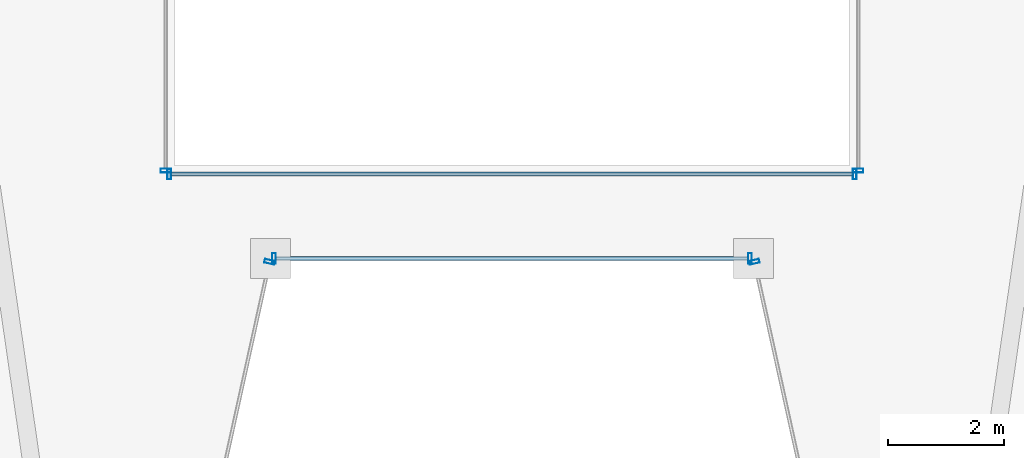
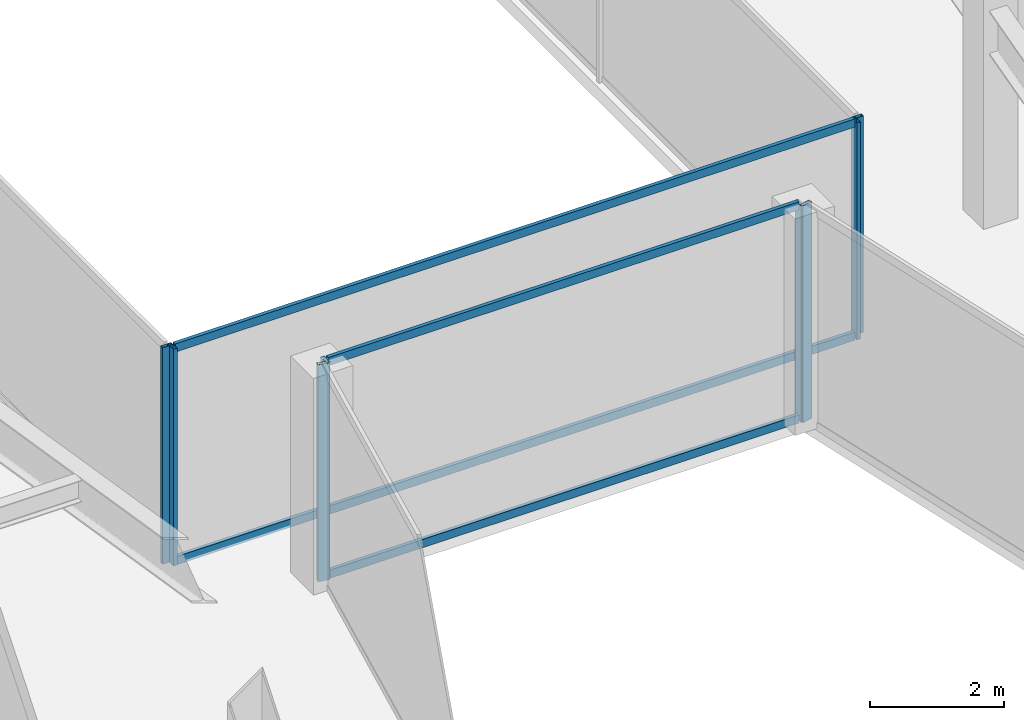
# One storey, part 7 of 36: 12 members, 6 elements without a shape of their own.
"""IFC4 building model written with IfcOpenShell, lengths in metres."""

from ifc_helpers import new_model, si_unit, direction, frame, origin, origin_2d, place, context, subcontext, project, spatial, hollow_rectangle, extrude, material, material_profile, profile_set, type_object, element, aggregate, save


model = new_model("IFC4")

# Units and contexts
model_context = context("Model", 3, precision=1e-05, world=origin(), true_north=direction((0.0, 1.0)))
body_context = subcontext(model_context, "Body", "Model", "MODEL_VIEW")
ifc_project = project(units=[si_unit("LENGTHUNIT", "METRE"), si_unit("AREAUNIT", "SQUARE_METRE"), si_unit("VOLUMEUNIT", "CUBIC_METRE"), si_unit("PLANEANGLEUNIT", "RADIAN"), si_unit("MASSUNIT", "GRAM", prefix="KILO")], contexts=[model_context])

# Site, building, storey
site_placement = place(None, origin())
site = spatial("IfcSite", under=ifc_project, at=site_placement, CompositionType="ELEMENT")
building_placement = place(site_placement, origin())
building = spatial("IfcBuilding", under=site, at=building_placement, Name="Saevonmaru Cultural Tower", CompositionType="ELEMENT")
storey_placement = place(building_placement, frame((0.0, 0.0, 119.199951171875)))
storey = spatial("IfcBuildingStorey", under=building, at=storey_placement, Name="L25", CompositionType="ELEMENT", Elevation=119.199951171875)

# Curtain wall, member
ifc_material = material(Name="Satin Bronze Anodised Aluminium", Category="aluminium")
curtain_wall_type_1 = type_object("IfcCurtainWallType", Name="CW-TYP-A", PredefinedType="NOTDEFINED", material=ifc_material)
curtain_wall_1_placement = place(storey_placement, origin())
curtain_wall_1 = element("IfcCurtainWall", 1, at=curtain_wall_1_placement, inside=storey, type_object=curtain_wall_type_1, Name="L25 Unitised Curtain Wall E3", PredefinedType="NOTDEFINED")
ifc_material_profile_1 = material_profile(ifc_material, hollow_rectangle(XDim=0.06494140625, YDim=0.179931640625, WallThickness=0.00390625, at=origin_2d()), Name="ALU-MULL-180x65x4")
ifc_profile_set_1 = profile_set([ifc_material_profile_1], Name="Satin Bronze Anodised Aluminium")
member_type_1 = type_object("IfcMemberType", Name="ML-CW-180x65", PredefinedType="MULLION", material=ifc_profile_set_1)
member_1_placement = place(storey_placement, frame((25.8359375, 20.741455078125, 0.0), z_axis=(0.0, 0.0, 1.0), x_axis=(0.215413319953, 0.976522965212, 0.0)))
member_1 = element("IfcMember", 2, at=member_1_placement, type_object=member_type_1, Name="CW-TW-L25-E3 mullion 2", PredefinedType="MULLION", context=body_context, shape_type="SweptSolid", body=[
    extrude(hollow_rectangle(XDim=0.06494140625, YDim=0.179931640625, WallThickness=0.00390625, at=origin_2d()), origin(), (0.0, 0.0, 1.0), 3.949951171875),
])
aggregate(curtain_wall_1, [member_1])

# Curtain wall, members
curtain_wall_2_placement = place(storey_placement, origin())
curtain_wall_2 = element("IfcCurtainWall", 3, at=curtain_wall_2_placement, inside=storey, type_object=curtain_wall_type_1, Name="L25 Unitised Curtain Wall E4", PredefinedType="NOTDEFINED")
member_2_placement = place(storey_placement, frame((25.908935546875, 20.800048828125, 0.0), z_axis=(0.0, 0.0, 1.0), x_axis=(1.0, 0.0, 0.0)))
member_2 = element("IfcMember", 4, at=member_2_placement, type_object=member_type_1, Name="CW-TW-L25-E4 mullion 1", PredefinedType="MULLION", context=body_context, shape_type="SweptSolid", body=[
    extrude(hollow_rectangle(XDim=0.06494140625, YDim=0.179931640625, WallThickness=0.00390625, at=origin_2d()), origin(), (0.0, 0.0, 1.0), 3.949951171875),
])
member_3_placement = place(storey_placement, frame((34.091064453125, 20.800048828125, 0.0), z_axis=(0.0, 0.0, 1.0), x_axis=(1.0, 0.0, 0.0)))
member_3 = element("IfcMember", 5, at=member_3_placement, type_object=member_type_1, Name="CW-TW-L25-E4 mullion 2", PredefinedType="MULLION", context=body_context, shape_type="SweptSolid", body=[
    extrude(hollow_rectangle(XDim=0.06494140625, YDim=0.179931640625, WallThickness=0.00390625, at=origin_2d()), origin(), (0.0, 0.0, 1.0), 3.949951171875),
])

# Curtain wall, member
curtain_wall_3_placement = place(storey_placement, origin())
curtain_wall_3 = element("IfcCurtainWall", 6, at=curtain_wall_3_placement, inside=storey, type_object=curtain_wall_type_1, Name="L25 Unitised Curtain Wall E5", PredefinedType="NOTDEFINED")
member_4_placement = place(storey_placement, frame((34.1640625, 20.741455078125, 0.0), z_axis=(0.0, 0.0, 1.0), x_axis=(0.215413319953, -0.976522965212, 0.0)))
member_4 = element("IfcMember", 7, at=member_4_placement, type_object=member_type_1, Name="CW-TW-L25-E5 mullion 1", PredefinedType="MULLION", context=body_context, shape_type="SweptSolid", body=[
    extrude(hollow_rectangle(XDim=0.06494140625, YDim=0.179931640625, WallThickness=0.00390625, at=origin_2d()), origin(), (0.0, 0.0, 1.0), 3.949951171875),
])
aggregate(curtain_wall_3, [member_4])

# Curtain wall, members
curtain_wall_type_2 = type_object("IfcCurtainWallType", Name="CW-ATR-GLZ", PredefinedType="NOTDEFINED", material=ifc_material)
curtain_wall_4_placement = place(storey_placement, origin())
curtain_wall_4 = element("IfcCurtainWall", 8, at=curtain_wall_4_placement, inside=storey, type_object=curtain_wall_type_2, Name="L25 Vertical Atrium Glazed Smoke Screen 1", PredefinedType="NOTDEFINED")
ifc_material_profile_2 = material_profile(ifc_material, hollow_rectangle(XDim=0.06494140625, YDim=0.179931640625, WallThickness=0.00390625, at=origin_2d()), Name="ALU-MULL-180x65x4")
ifc_profile_set_2 = profile_set([ifc_material_profile_2], Name="Satin Bronze Anodised Aluminium")
member_type_2 = type_object("IfcMemberType", Name="ML-CW-INT-180x65", PredefinedType="MULLION", material=ifc_profile_set_2)
member_5_placement = place(storey_placement, frame((24.110107421875, 22.25, 0.0), z_axis=(0.0, 0.0, 1.0), x_axis=(1.0, 0.0, 0.0)))
member_5 = element("IfcMember", 9, at=member_5_placement, type_object=member_type_2, Name="CW-ATR-L25-1 mullion 1", PredefinedType="MULLION", context=body_context, shape_type="SweptSolid", body=[
    extrude(hollow_rectangle(XDim=0.06494140625, YDim=0.179931640625, WallThickness=0.00390625, at=origin_2d()), origin(), (0.0, 0.0, 1.0), 3.949951171875),
])
member_6_placement = place(storey_placement, frame((35.889892578125, 22.25, 0.0), z_axis=(0.0, 0.0, 1.0), x_axis=(1.0, 0.0, 0.0)))
member_6 = element("IfcMember", 10, at=member_6_placement, type_object=member_type_2, Name="CW-ATR-L25-1 mullion 2", PredefinedType="MULLION", context=body_context, shape_type="SweptSolid", body=[
    extrude(hollow_rectangle(XDim=0.06494140625, YDim=0.179931640625, WallThickness=0.00390625, at=origin_2d()), origin(), (0.0, 0.0, 1.0), 3.949951171875),
])

# Curtain wall, member
curtain_wall_5_placement = place(storey_placement, origin())
curtain_wall_5 = element("IfcCurtainWall", 11, at=curtain_wall_5_placement, inside=storey, type_object=curtain_wall_type_2, Name="L25 Vertical Atrium Glazed Smoke Screen 2", PredefinedType="NOTDEFINED")
member_7_placement = place(storey_placement, frame((35.949951171875, 22.31005859375, 0.0), z_axis=(0.0, 0.0, 1.0), x_axis=(0.0, 1.0, 0.0)))
member_7 = element("IfcMember", 12, at=member_7_placement, type_object=member_type_2, Name="CW-ATR-L25-2 mullion 1", PredefinedType="MULLION", context=body_context, shape_type="SweptSolid", body=[
    extrude(hollow_rectangle(XDim=0.06494140625, YDim=0.179931640625, WallThickness=0.00390625, at=origin_2d()), origin(), (0.0, 0.0, 1.0), 3.949951171875),
])
aggregate(curtain_wall_5, [member_7])

curtain_wall_6_placement = place(storey_placement, origin())
curtain_wall_6 = element("IfcCurtainWall", 13, at=curtain_wall_6_placement, inside=storey, type_object=curtain_wall_type_2, Name="L25 Vertical Atrium Glazed Smoke Screen 4", PredefinedType="NOTDEFINED")
member_8_placement = place(storey_placement, frame((24.050048828125, 22.31005859375, 0.0), z_axis=(0.0, 0.0, 1.0), x_axis=(0.0, -1.0, 0.0)))
member_8 = element("IfcMember", 14, at=member_8_placement, type_object=member_type_2, Name="CW-ATR-L25-4 mullion 3", PredefinedType="MULLION", context=body_context, shape_type="SweptSolid", body=[
    extrude(hollow_rectangle(XDim=0.06494140625, YDim=0.179931640625, WallThickness=0.00390625, at=origin_2d()), origin(), (0.0, 0.0, 1.0), 3.949951171875),
])
aggregate(curtain_wall_6, [member_8])

# Member
ifc_material_profile_3 = material_profile(ifc_material, hollow_rectangle(XDim=0.06494140625, YDim=0.14990234375, WallThickness=0.00390625, at=origin_2d()), Name="ALU-TRAN-150x65x4")
ifc_profile_set_3 = profile_set([ifc_material_profile_3], Name="Satin Bronze Anodised Aluminium")
member_type_3 = type_object("IfcMemberType", Name="TR-CW-150x65", PredefinedType="USERDEFINED", material=ifc_profile_set_3)
member_9_placement = place(storey_placement, frame((25.94140625, 20.800048828125, 0.032470703125), z_axis=(1.0, 0.0, 0.0), x_axis=(0.0, 1.0, 0.0)))
member_9 = element("IfcMember", 15, at=member_9_placement, type_object=member_type_3, Name="CW-TW-L25-E4 transom 1.1", ObjectType="TRANSOM", PredefinedType="USERDEFINED", context=body_context, shape_type="SweptSolid", body=[
    extrude(hollow_rectangle(XDim=0.06494140625, YDim=0.14990234375, WallThickness=0.00390625, at=origin_2d()), origin(), (0.0, 0.0, 1.0), 8.1171875),
])

member_10_placement = place(storey_placement, frame((25.94140625, 20.800048828125, 3.91748046875), z_axis=(1.0, 0.0, 0.0), x_axis=(0.0, 1.0, 0.0)))
member_10 = element("IfcMember", 16, at=member_10_placement, type_object=member_type_3, Name="CW-TW-L25-E4 transom 1.2", ObjectType="TRANSOM", PredefinedType="USERDEFINED", context=body_context, shape_type="SweptSolid", body=[
    extrude(hollow_rectangle(XDim=0.06494140625, YDim=0.14990234375, WallThickness=0.00390625, at=origin_2d()), origin(), (0.0, 0.0, 1.0), 8.1171875),
])

aggregate(curtain_wall_2, [member_2, member_3, member_9, member_10])

ifc_material_profile_4 = material_profile(ifc_material, hollow_rectangle(XDim=0.06494140625, YDim=0.14990234375, WallThickness=0.00390625, at=origin_2d()), Name="ALU-TRAN-150x65x4")
ifc_profile_set_4 = profile_set([ifc_material_profile_4], Name="Satin Bronze Anodised Aluminium")
member_type_4 = type_object("IfcMemberType", Name="TR-CW-INT-150x65", PredefinedType="USERDEFINED", material=ifc_profile_set_4)
member_11_placement = place(storey_placement, frame((24.142578125, 22.25, 0.032470703125), z_axis=(1.0, 0.0, 0.0), x_axis=(0.0, 1.0, 0.0)))
member_11 = element("IfcMember", 17, at=member_11_placement, type_object=member_type_4, Name="CW-ATR-L25-1 transom 1.1", ObjectType="TRANSOM", PredefinedType="USERDEFINED", context=body_context, shape_type="SweptSolid", body=[
    extrude(hollow_rectangle(XDim=0.06494140625, YDim=0.14990234375, WallThickness=0.00390625, at=origin_2d()), origin(), (0.0, 0.0, 1.0), 11.71484375),
])

member_12_placement = place(storey_placement, frame((24.142578125, 22.25, 3.91748046875), z_axis=(1.0, 0.0, 0.0), x_axis=(0.0, 1.0, 0.0)))
member_12 = element("IfcMember", 18, at=member_12_placement, type_object=member_type_4, Name="CW-ATR-L25-1 transom 1.2", ObjectType="TRANSOM", PredefinedType="USERDEFINED", context=body_context, shape_type="SweptSolid", body=[
    extrude(hollow_rectangle(XDim=0.06494140625, YDim=0.14990234375, WallThickness=0.00390625, at=origin_2d()), origin(), (0.0, 0.0, 1.0), 11.71484375),
])

aggregate(curtain_wall_4, [member_5, member_6, member_11, member_12])

save(model, "model.ifc")
